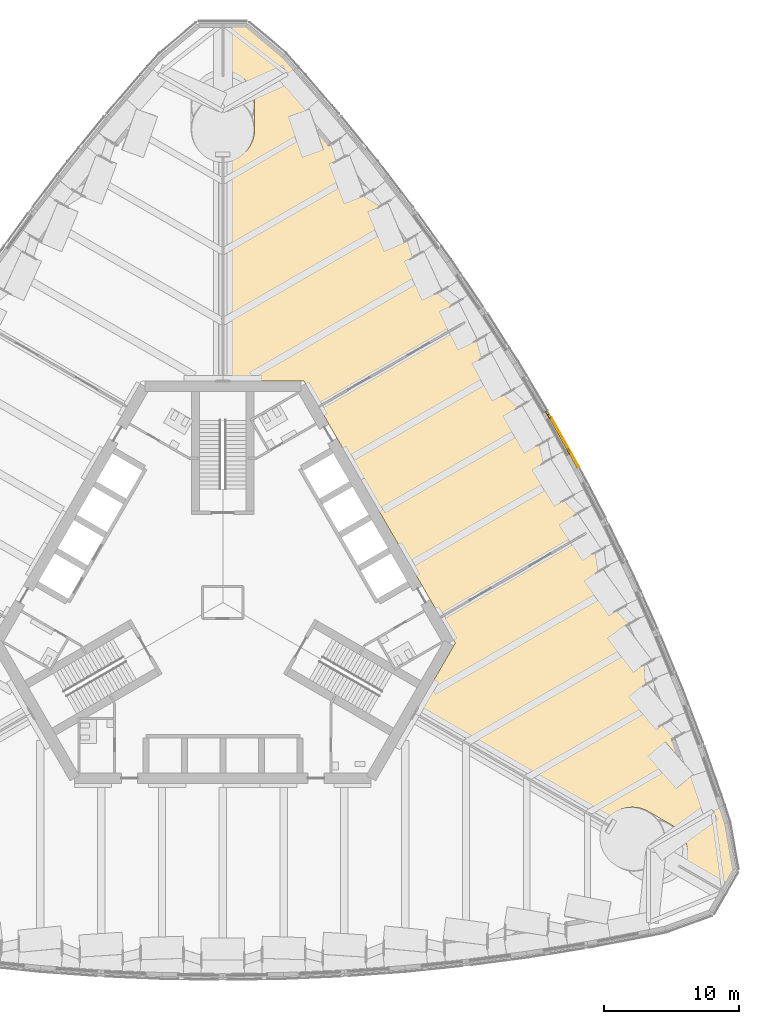
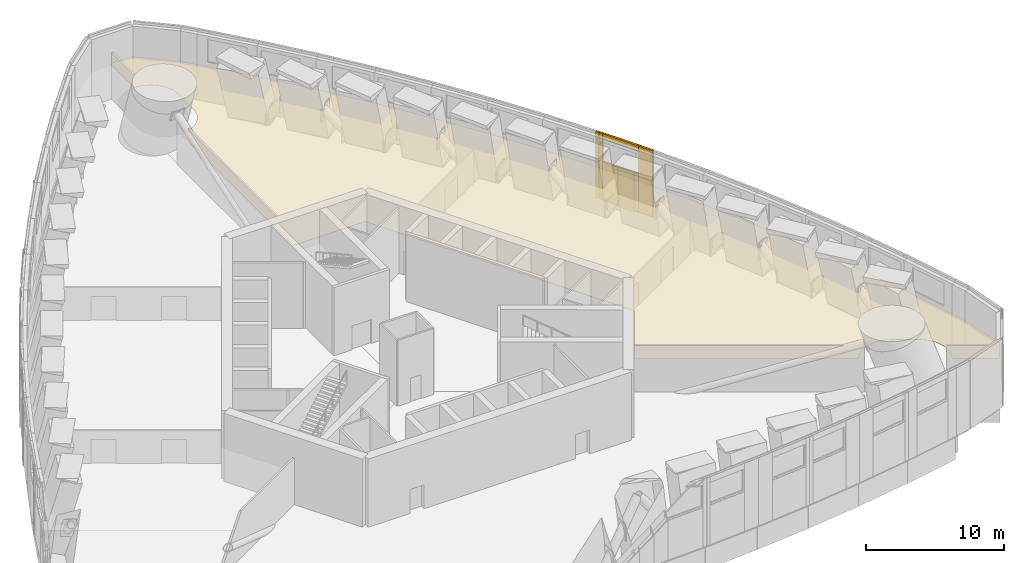
# One storey, part 22 of 28: 11 coverings.
"""IFC4 building model written with IfcOpenShell, lengths in metres."""

from ifc_helpers import new_model, si_unit, direction, frame, origin, origin_2d, place, context, subcontext, project, spatial, polyline, rectangle, outline, extrude, material, layer, layer_set, type_object, element, save


model = new_model("IFC4")

# Units and contexts
model_context = context("Model", 3, precision=1e-05, world=origin(), true_north=direction((0.0, 1.0)))
body_context = subcontext(model_context, "Body", "Model", "MODEL_VIEW")
ifc_project = project(units=[si_unit("LENGTHUNIT", "METRE"), si_unit("AREAUNIT", "SQUARE_METRE"), si_unit("VOLUMEUNIT", "CUBIC_METRE"), si_unit("PLANEANGLEUNIT", "RADIAN"), si_unit("MASSUNIT", "GRAM", prefix="KILO")], contexts=[model_context])

# Site, building, storey
site_placement = place(None, origin())
site = spatial("IfcSite", under=ifc_project, at=site_placement, CompositionType="ELEMENT")
building_placement = place(site_placement, origin())
building = spatial("IfcBuilding", under=site, at=building_placement, Name="Trefoil Bronze Tower", CompositionType="ELEMENT")
storey_placement = place(building_placement, frame((0.0, 0.0, 92.10009765625)))
storey = spatial("IfcBuildingStorey", under=building, at=storey_placement, Name="L21", CompositionType="ELEMENT", Elevation=92.10009765625)

# Coverings
ifc_material_1 = material(Name="Bronze-finish aluminium rainscreen panel on aluminium rails", Category="aluminium")
ifc_layer_1 = layer(ifc_material_1, 0.0400390625)
ifc_layer_set_1 = layer_set([ifc_layer_1], Name="Bronze cladding panel 40")
covering_type_1 = type_object("IfcCoveringType", Name="Bronze cladding panel 40", PredefinedType="CLADDING", material=ifc_layer_set_1)
covering_1_placement = place(storey_placement, frame((26.08154296875, 10.549560546875, 0.0), z_axis=(0.0, 0.0, 1.0), x_axis=(-0.487381940377, 0.873188893765, 0.0)))
element("IfcCovering", 1, at=covering_1_placement, inside=storey, type_object=covering_type_1, Name="Cladding panel L21 Face 2.8 piece 1", PredefinedType="CLADDING", context=body_context, shape_type="SweptSolid", body=[
    extrude(rectangle(XDim=1.200439453125, YDim=0.0400390625, at=origin_2d()), origin(), (0.0, 0.0, 1.0), 6.0),
])
covering_2_placement = place(storey_placement, frame((25.057861328125, 12.383544921875, 0.0), z_axis=(0.0, 0.0, 1.0), x_axis=(-0.487381940377, 0.873188893765, 0.0)))
element("IfcCovering", 2, at=covering_2_placement, inside=storey, type_object=covering_type_1, Name="Cladding panel L21 Face 2.8 piece 3", PredefinedType="CLADDING", context=body_context, shape_type="SweptSolid", body=[
    extrude(rectangle(XDim=3.0, YDim=0.0400390625, at=origin_2d()), origin(), (0.0, 0.0, 1.0), 3.5),
])
covering_3_placement = place(storey_placement, frame((25.057861328125, 12.383544921875, 5.5), z_axis=(0.0, 0.0, 1.0), x_axis=(-0.487381940377, 0.873188893765, 0.0)))
element("IfcCovering", 3, at=covering_3_placement, inside=storey, type_object=covering_type_1, Name="Cladding panel L21 Face 2.8 piece 4", PredefinedType="CLADDING", context=body_context, shape_type="SweptSolid", body=[
    extrude(rectangle(XDim=3.0, YDim=0.0400390625, at=origin_2d()), origin(), (0.0, 0.0, 1.0), 0.5),
])
ifc_material_2 = material(Name="Acoustic ceiling panels", Category="mineral fibre")
ifc_layer_2 = layer(ifc_material_2, 0.02001953125)
ifc_layer_set_2 = layer_set([ifc_layer_2], Name="Office ceiling 20")
covering_type_2 = type_object("IfcCoveringType", Name="Office ceiling 20", PredefinedType="CEILING", material=ifc_layer_set_2)
covering_4_placement = place(storey_placement, frame((0.0, 0.0, 2.89990234375)))
element("IfcCovering", 4, at=covering_4_placement, inside=storey, type_object=covering_type_2, Name="Ceiling L21 Mechanical plant room F2", PredefinedType="CEILING", context=body_context, shape_type="SweptSolid", body=[
    extrude(outline(polyline([(5.4814453125, 39.537841796875), (8.47998046875, 36.072998046875), (11.360107421875, 32.53955078125), (14.123291015625, 28.938720703125), (16.771240234375, 25.271484375), (19.3046875, 21.537841796875), (21.724609375, 17.73876953125), (24.031005859375, 13.87451171875), (26.224609375, 9.944580078125), (28.3046875, 5.949462890625), (30.271240234375, 1.888671875), (32.123291015625, -2.23828125), (33.860107421875, -6.431640625), (35.47998046875, -10.6923828125), (36.9814453125, -15.021728515625), (37.381103515625, -16.248779296875), (38.0146484375, -19.841552734375), (37.110595703125, -21.4072265625), (34.084716796875, -19.661865234375), (34.115478515625, -19.60791015625), (34.167236328125, -19.5048828125), (34.214111328125, -19.3994140625), (34.255615234375, -19.291748046875), (34.291748046875, -19.18212890625), (34.322509765625, -19.071044921875), (34.347900390625, -18.95849609375), (34.367431640625, -18.8447265625), (34.381591796875, -18.730224609375), (34.39013671875, -18.615234375), (34.392822265625, -18.5), (34.39013671875, -18.384765625), (34.381591796875, -18.269775390625), (34.367431640625, -18.1552734375), (34.347900390625, -18.04150390625), (34.322509765625, -17.928955078125), (34.291748046875, -17.81787109375), (34.255615234375, -17.708251953125), (34.214111328125, -17.6005859375), (34.167236328125, -17.4951171875), (34.115478515625, -17.39208984375), (34.05859375, -17.2919921875), (33.996826171875, -17.1943359375), (33.930419921875, -17.10009765625), (33.859619140625, -17.00927734375), (33.7841796875, -16.921875), (33.70458984375, -16.83837890625), (33.62109375, -16.7587890625), (33.53369140625, -16.683349609375), (33.44287109375, -16.612548828125), (33.348388671875, -16.5458984375), (33.251220703125, -16.484375), (31.51904296875, -15.484375), (31.418701171875, -15.427490234375), (31.315673828125, -15.37548828125), (31.210205078125, -15.328857421875), (31.1025390625, -15.287353515625), (30.9931640625, -15.251220703125), (30.8818359375, -15.220458984375), (30.769287109375, -15.1953125), (30.65576171875, -15.17529296875), (30.541259765625, -15.161376953125), (30.42626953125, -15.15283203125), (30.310791015625, -15.14990234375), (30.195556640625, -15.15283203125), (30.08056640625, -15.161376953125), (29.966064453125, -15.17529296875), (29.852294921875, -15.1953125), (29.739990234375, -15.220458984375), (29.628662109375, -15.251220703125), (29.519287109375, -15.287353515625), (29.41162109375, -15.328857421875), (29.30615234375, -15.37548828125), (29.203125, -15.427490234375), (29.102783203125, -15.484375), (29.00537109375, -15.5458984375), (28.910888671875, -15.612548828125), (28.820068359375, -15.683349609375), (28.732666015625, -15.7587890625), (28.649169921875, -15.83837890625), (28.569580078125, -15.921875), (28.494384765625, -16.00927734375), (28.42333984375, -16.10009765625), (28.35693359375, -16.1943359375), (28.295166015625, -16.2919921875), (28.2822265625, -16.314697265625), (14.205810546875, -8.194580078125), (17.205078125, -3.0), (6.00439453125, 16.39990234375), (0.006103515625, 16.39990234375), (0.01220703125, 32.650390625), (0.115234375, 32.65283203125), (0.230224609375, 32.661376953125), (0.3447265625, 32.67529296875), (0.45849609375, 32.6953125), (0.571044921875, 32.720458984375), (0.68212890625, 32.751220703125), (0.791748046875, 32.787353515625), (0.8994140625, 32.828857421875), (1.0048828125, 32.87548828125), (1.10791015625, 32.927490234375), (1.2080078125, 32.984375), (1.3056640625, 33.0458984375), (1.39990234375, 33.112548828125), (1.49072265625, 33.183349609375), (1.578125, 33.2587890625), (1.66162109375, 33.33837890625), (1.7412109375, 33.421875), (1.816650390625, 33.50927734375), (1.887451171875, 33.60009765625), (1.9541015625, 33.6943359375), (2.015625, 33.7919921875), (2.072509765625, 33.89208984375), (2.12451171875, 33.9951171875), (2.171142578125, 34.1005859375), (2.212646484375, 34.208251953125), (2.248779296875, 34.31787109375), (2.279541015625, 34.428955078125), (2.3046875, 34.54150390625), (2.32470703125, 34.6552734375), (2.338623046875, 34.769775390625), (2.34716796875, 34.884765625), (2.35009765625, 35.0), (2.35009765625, 37.0), (2.34716796875, 37.115234375), (2.338623046875, 37.230224609375), (2.32470703125, 37.3447265625), (2.3046875, 37.45849609375), (2.279541015625, 37.571044921875), (2.248779296875, 37.68212890625), (2.212646484375, 37.791748046875), (2.171142578125, 37.8994140625), (2.12451171875, 38.0048828125), (2.072509765625, 38.10791015625), (2.015625, 38.2080078125), (1.9541015625, 38.3056640625), (1.887451171875, 38.39990234375), (1.816650390625, 38.49072265625), (1.7412109375, 38.578125), (1.66162109375, 38.66162109375), (1.578125, 38.7412109375), (1.49072265625, 38.816650390625), (1.39990234375, 38.887451171875), (1.3056640625, 38.9541015625), (1.2080078125, 39.015625), (1.10791015625, 39.072509765625), (1.0048828125, 39.12451171875), (0.8994140625, 39.171142578125), (0.791748046875, 39.212646484375), (0.68212890625, 39.248779296875), (0.571044921875, 39.279541015625), (0.45849609375, 39.3046875), (0.3447265625, 39.32470703125), (0.230224609375, 39.338623046875), (0.115234375, 39.34716796875), (0.014892578125, 39.349609375), (0.01611328125, 42.84228515625), (1.82421875, 42.84228515625), (4.618896484375, 40.497314453125), (5.4814453125, 39.537841796875)])), origin(), (0.0, 0.0, 1.0), 0.02001953125),
])
ifc_material_3 = material(Name="Non-combustible mineral wool slab", Category="insulation")
ifc_layer_3 = layer(ifc_material_3, 0.14990234375)
ifc_layer_set_3 = layer_set([ifc_layer_3], Name="Rainscreen insulation 150")
covering_type_3 = type_object("IfcCoveringType", Name="Rainscreen insulation 150", PredefinedType="INSULATION", material=ifc_layer_set_3)
covering_5_placement = place(storey_placement, frame((25.99853515625, 10.50341796875, 0.19482421875), z_axis=(0.0, 0.0, 1.0), x_axis=(-0.487381940377, 0.873188893765, 0.0)))
element("IfcCovering", 5, at=covering_5_placement, inside=storey, type_object=covering_type_3, Name="Insulation L21 Face 2.8 piece 1", PredefinedType="INSULATION", context=body_context, shape_type="SweptSolid", body=[
    extrude(rectangle(XDim=1.200439453125, YDim=0.14990234375, at=origin_2d()), origin(), (0.0, 0.0, 1.0), 5.804931640625),
])
covering_6_placement = place(storey_placement, frame((24.170654296875, 13.778076171875, 0.11474609375), z_axis=(0.0, 0.0, 1.0), x_axis=(-0.487381940377, 0.873188893765, 0.0)))
element("IfcCovering", 6, at=covering_6_placement, inside=storey, type_object=covering_type_3, Name="Insulation L21 Face 2.8 piece 2", PredefinedType="INSULATION", context=body_context, shape_type="SweptSolid", body=[
    extrude(rectangle(XDim=0.300048828125, YDim=0.14990234375, at=origin_2d()), origin(), (0.0, 0.0, 1.0), 5.885009765625),
])
covering_7_placement = place(storey_placement, frame((25.6123046875, 11.195556640625, 0.224853515625), z_axis=(0.0, 0.0, 1.0), x_axis=(-0.487381940377, 0.873188893765, 0.0)))
element("IfcCovering", 7, at=covering_7_placement, inside=storey, type_object=covering_type_3, Name="Insulation L21 Face 2.8 piece 3", PredefinedType="INSULATION", context=body_context, shape_type="SweptSolid", body=[
    extrude(rectangle(XDim=0.385009765625, YDim=0.14990234375, at=origin_2d()), origin(), (0.0, 0.0, 1.0), 3.27490234375),
])
covering_8_placement = place(storey_placement, frame((25.19921875, 11.935546875, 0.0), z_axis=(0.0, 0.0, 1.0), x_axis=(-0.487381940377, 0.873188893765, 0.0)))
element("IfcCovering", 8, at=covering_8_placement, inside=storey, type_object=covering_type_3, Name="Insulation L21 Face 2.8 piece 3 part 2", PredefinedType="INSULATION", context=body_context, shape_type="SweptSolid", body=[
    extrude(rectangle(XDim=1.31005859375, YDim=0.14990234375, at=origin_2d()), origin(), (0.0, 0.0, 1.0), 3.5),
])
covering_9_placement = place(storey_placement, frame((24.561767578125, 13.077392578125, 0.19970703125), z_axis=(0.0, 0.0, 1.0), x_axis=(-0.487381940377, 0.873188893765, 0.0)))
element("IfcCovering", 9, at=covering_9_placement, inside=storey, type_object=covering_type_3, Name="Insulation L21 Face 2.8 piece 3 part 3", PredefinedType="INSULATION", context=body_context, shape_type="SweptSolid", body=[
    extrude(rectangle(XDim=1.304931640625, YDim=0.14990234375, at=origin_2d()), origin(), (0.0, 0.0, 1.0), 3.300048828125),
])
covering_10_placement = place(storey_placement, frame((24.974853515625, 12.337158203125, 5.5), z_axis=(0.0, 0.0, 1.0), x_axis=(-0.487381940377, 0.873188893765, 0.0)))
element("IfcCovering", 10, at=covering_10_placement, inside=storey, type_object=covering_type_3, Name="Insulation L21 Face 2.8 piece 4", PredefinedType="INSULATION", context=body_context, shape_type="SweptSolid", body=[
    extrude(rectangle(XDim=3.0, YDim=0.14990234375, at=origin_2d()), origin(), (0.0, 0.0, 1.0), 0.5),
])
covering_11_placement = place(storey_placement, frame((24.017578125, 14.04345703125, 0.11474609375), z_axis=(0.0, 0.0, 1.0), x_axis=(-0.512512794114, 0.858679588595, 0.0)))
element("IfcCovering", 11, at=covering_11_placement, inside=storey, type_object=covering_type_3, Name="Insulation L21 Face 2.9 piece 1", PredefinedType="INSULATION", context=body_context, shape_type="SweptSolid", body=[
    extrude(rectangle(XDim=0.300048828125, YDim=0.14990234375, at=origin_2d()), origin(), (0.0, 0.0, 1.0), 5.885009765625),
])

save(model, "model.ifc")
